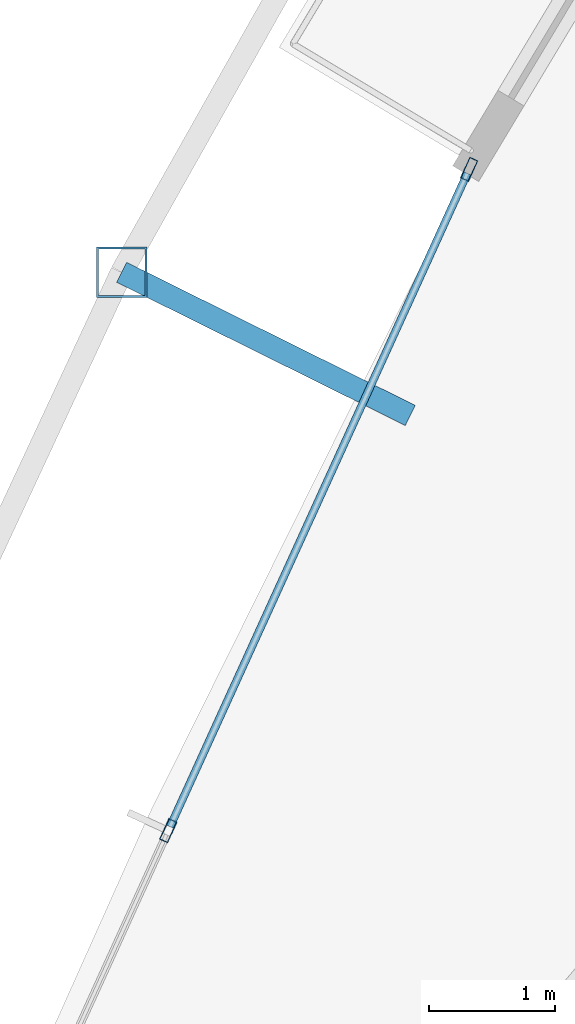
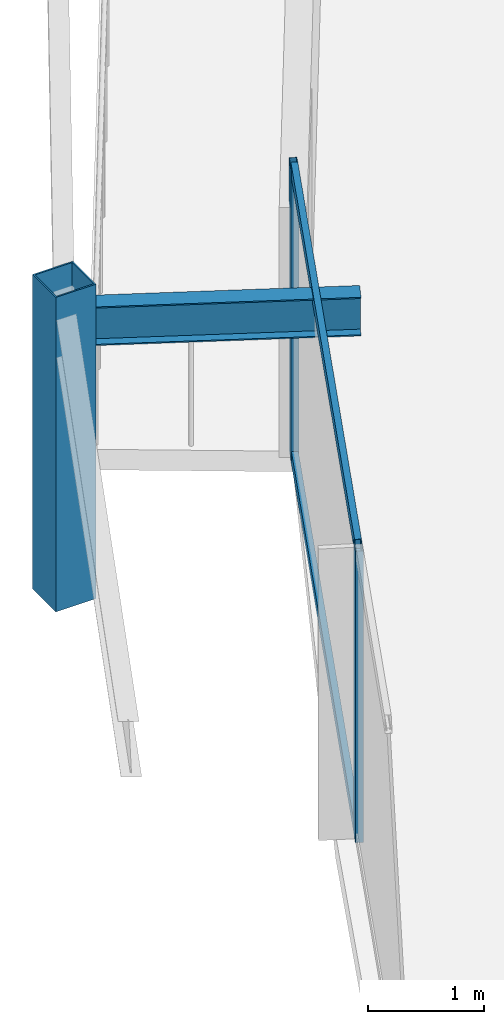
# One storey, part 10 of 33: 5 members, 1 beam, 1 element without a shape of its own.
"""IFC4 building model written with IfcOpenShell, lengths in metres."""

from ifc_helpers import new_model, si_unit, direction, frame, origin, origin_2d, place, context, subcontext, project, spatial, hollow_rectangle, i_section, extrude, material, layer, layer_set, material_profile, profile_set, type_object, element, aggregate, save


model = new_model("IFC4")

# Units and contexts
model_context = context("Model", 3, precision=1e-05, world=origin(), true_north=direction((0.0, 1.0)))
body_context = subcontext(model_context, "Body", "Model", "MODEL_VIEW")
ifc_project = project(units=[si_unit("LENGTHUNIT", "METRE"), si_unit("AREAUNIT", "SQUARE_METRE"), si_unit("VOLUMEUNIT", "CUBIC_METRE"), si_unit("PLANEANGLEUNIT", "RADIAN"), si_unit("MASSUNIT", "GRAM", prefix="KILO")], contexts=[model_context])

# Site, building, storey
site_placement = place(None, origin())
site = spatial("IfcSite", under=ifc_project, at=site_placement, CompositionType="ELEMENT")
building_placement = place(site_placement, origin())
building = spatial("IfcBuilding", under=site, at=building_placement, Name="Orvanel Arch Residences", CompositionType="ELEMENT")
storey_placement = place(building_placement, frame((0.0, 0.0, 116.60009765625)))
storey = spatial("IfcBuildingStorey", under=building, at=storey_placement, Name="L32", CompositionType="ELEMENT", Elevation=116.60009765625)

# Curtain wall, members
ifc_material_1 = material(Name="Bronze-anodised aluminium AA6063-T6", Category="aluminium")
ifc_layer = layer(ifc_material_1, 0.179931640625)
ifc_layer_set = layer_set([ifc_layer], Name="Bronze-anodised aluminium AA6063-T6")
curtain_wall_type = type_object("IfcCurtainWallType", Name="CW3-MID-SYS", PredefinedType="NOTDEFINED", material=ifc_layer_set)
curtain_wall_placement = place(storey_placement, origin())
curtain_wall = element("IfcCurtainWall", 1, at=curtain_wall_placement, inside=storey, type_object=curtain_wall_type, Name="L32 CW3-MID-SYS Unitised Curtain Wall", PredefinedType="NOTDEFINED")
ifc_material_profile_1 = material_profile(ifc_material_1, hollow_rectangle(XDim=0.070068359375, YDim=0.179931640625, WallThickness=0.00439453125, at=origin_2d()), Name="ALU180x70x4.5")
ifc_profile_set_1 = profile_set([ifc_material_profile_1], Name="Bronze-anodised aluminium AA6063-T6")
member_type_1 = type_object("IfcMemberType", Name="MUL-180x70", PredefinedType="MULLION", material=ifc_profile_set_1)
member_1_placement = place(storey_placement, frame((14.200439453125, 24.572021484375, 0.0), z_axis=(0.0, 0.0, 1.0), x_axis=(0.9102243469, -0.414115489097, 0.0)))
member_1 = element("IfcMember", 2, at=member_1_placement, type_object=member_type_1, Name="CW-S3 mullion 1", PredefinedType="MULLION", context=body_context, shape_type="SweptSolid", body=[
    extrude(hollow_rectangle(XDim=0.070068359375, YDim=0.179931640625, WallThickness=0.00439453125, at=origin_2d()), origin(), (0.0, 0.0, 1.0), 3.059814453125),
])
member_2_placement = place(storey_placement, frame((11.8193359375, 19.33837890625, 0.0), z_axis=(0.0, 0.0, 1.0), x_axis=(0.9102243469, -0.414115489097, 0.0)))
member_2 = element("IfcMember", 3, at=member_2_placement, type_object=member_type_1, Name="CW-S3 mullion 2", PredefinedType="MULLION", context=body_context, shape_type="SweptSolid", body=[
    extrude(hollow_rectangle(XDim=0.070068359375, YDim=0.179931640625, WallThickness=0.00439453125, at=origin_2d()), origin(), (0.0, 0.0, 1.0), 3.059814453125),
])

# Beam
ifc_material_2 = material(Name="Structural steel AS/NZS 3679.1 Grade 300 (300 MPa)", Category="steel")
ifc_material_profile_2 = material_profile(ifc_material_2, i_section(OverallWidth=0.177978515625, OverallDepth=0.406005859375, WebThickness=0.0078125, FlangeThickness=0.0126953125, at=origin_2d()), Name="410UB59.7")
ifc_profile_set_2 = profile_set([ifc_material_profile_2], Name="Structural steel AS/NZS 3679.1 Grade 300 (300 MPa)")
beam_type = type_object("IfcBeamType", Name="OB-410UB-EXT", PredefinedType="SPANDREL", material=ifc_profile_set_2)
beam_placement = place(storey_placement, frame((13.735107421875, 22.6240234375, 2.85693359375), z_axis=(-0.895915397726, 0.444224718039, 0.0), x_axis=(-0.444224718039, -0.895915397726, 0.0)))
element("IfcBeam", 4, at=beam_placement, inside=storey, type_object=beam_type, Name="L32 Outer Frame Radial Tie Beam 03", PredefinedType="SPANDREL", context=body_context, shape_type="SweptSolid", body=[
    extrude(i_section(OverallWidth=0.177978515625, OverallDepth=0.406005859375, WebThickness=0.0078125, FlangeThickness=0.0126953125, at=origin_2d()), origin(), (0.0, 0.0, 1.0), 2.550537109375),
])

# Member
ifc_material_3 = material(Name="Structural steel AS/NZS 1163 C450L0 (Grade 450)", Category="steel")
ifc_material_profile_3 = material_profile(ifc_material_3, hollow_rectangle(XDim=0.39990234375, YDim=0.39990234375, WallThickness=0.01611328125, at=origin_2d()), Name="SHS400x400x16")
ifc_profile_set_3 = profile_set([ifc_material_profile_3], Name="Structural steel AS/NZS 1163 C450L0 (Grade 450)")
member_type_2 = type_object("IfcMemberType", Name="ST-400SHS-EXT", PredefinedType="STRUT", material=ifc_profile_set_3)
member_3_placement = place(storey_placement, frame((11.449951171875, 23.757080078125, 0.0), z_axis=(0.0, 0.0, 1.0), x_axis=(1.0, 0.0, 0.0)))
element("IfcMember", 5, at=member_3_placement, inside=storey, type_object=member_type_2, Name="L32 Outer Perimeter Frame Post 03", PredefinedType="STRUT", context=body_context, shape_type="SweptSolid", body=[
    extrude(hollow_rectangle(XDim=0.39990234375, YDim=0.39990234375, WallThickness=0.01611328125, at=origin_2d()), origin(), (0.0, 0.0, 1.0), 3.2998046875),
])

ifc_material_profile_4 = material_profile(ifc_material_1, hollow_rectangle(XDim=0.06005859375, YDim=0.135009765625, WallThickness=0.00390625, at=origin_2d()), Name="ALU135x60x4")
ifc_profile_set_4 = profile_set([ifc_material_profile_4], Name="Bronze-anodised aluminium AA6063-T6")
member_type_3 = type_object("IfcMemberType", Name="TRN-135x60", PredefinedType="USERDEFINED", material=ifc_profile_set_4)
member_4_placement = place(storey_placement, frame((14.18603515625, 24.540283203125, 0.02978515625), z_axis=(-0.414126751339, -0.910219222949, 0.0), x_axis=(0.910219222949, -0.414126751339, 0.0)))
member_4 = element("IfcMember", 6, at=member_4_placement, type_object=member_type_3, Name="CW-S3 transom 1.1", ObjectType="TRANSOM", PredefinedType="USERDEFINED", context=body_context, shape_type="SweptSolid", body=[
    extrude(hollow_rectangle(XDim=0.06005859375, YDim=0.135009765625, WallThickness=0.00390625, at=origin_2d()), origin(), (0.0, 0.0, 1.0), 5.68017578125),
])

member_5_placement = place(storey_placement, frame((14.18603515625, 24.540283203125, 3.02978515625), z_axis=(-0.414126751339, -0.910219222949, 0.0), x_axis=(0.910219222949, -0.414126751339, 0.0)))
member_5 = element("IfcMember", 7, at=member_5_placement, type_object=member_type_3, Name="CW-S3 transom 1.2", ObjectType="TRANSOM", PredefinedType="USERDEFINED", context=body_context, shape_type="SweptSolid", body=[
    extrude(hollow_rectangle(XDim=0.06005859375, YDim=0.135009765625, WallThickness=0.00390625, at=origin_2d()), origin(), (0.0, 0.0, 1.0), 5.68017578125),
])

aggregate(curtain_wall, [member_1, member_2, member_4, member_5])

save(model, "model.ifc")
